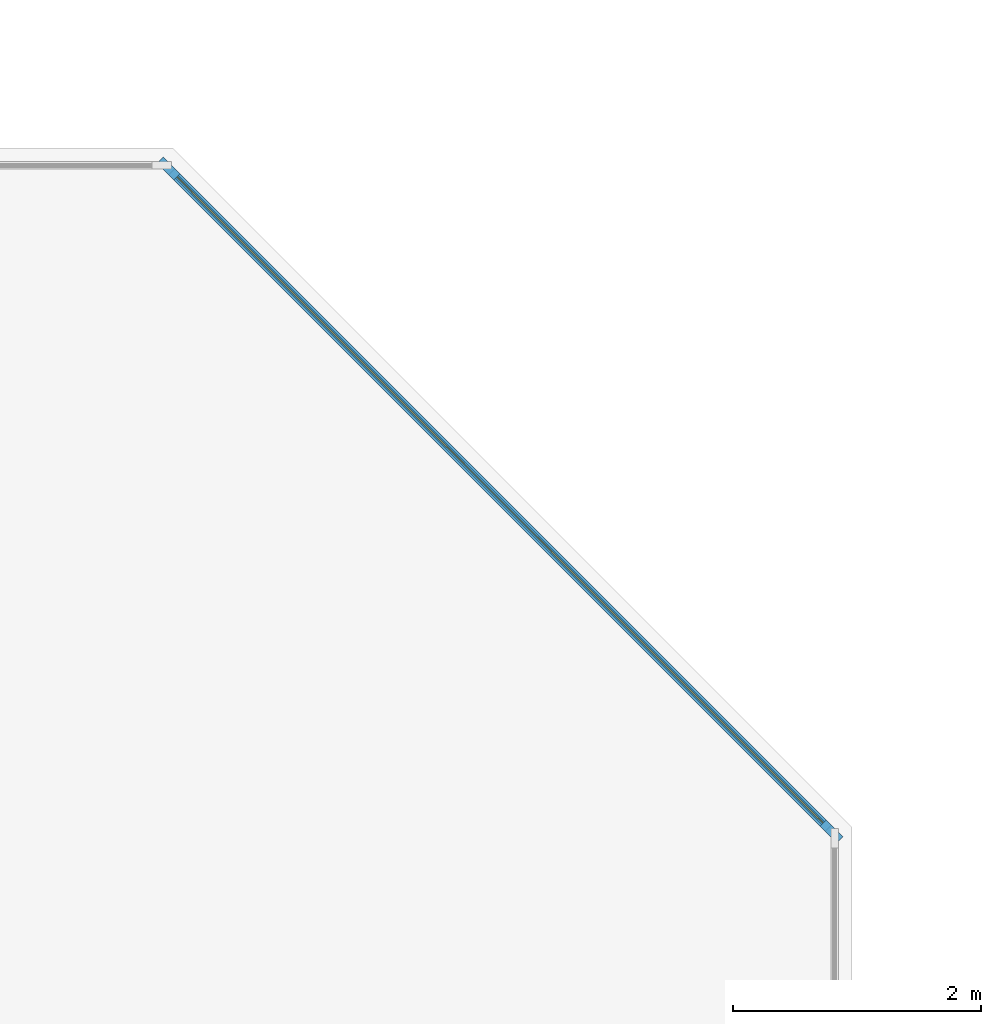
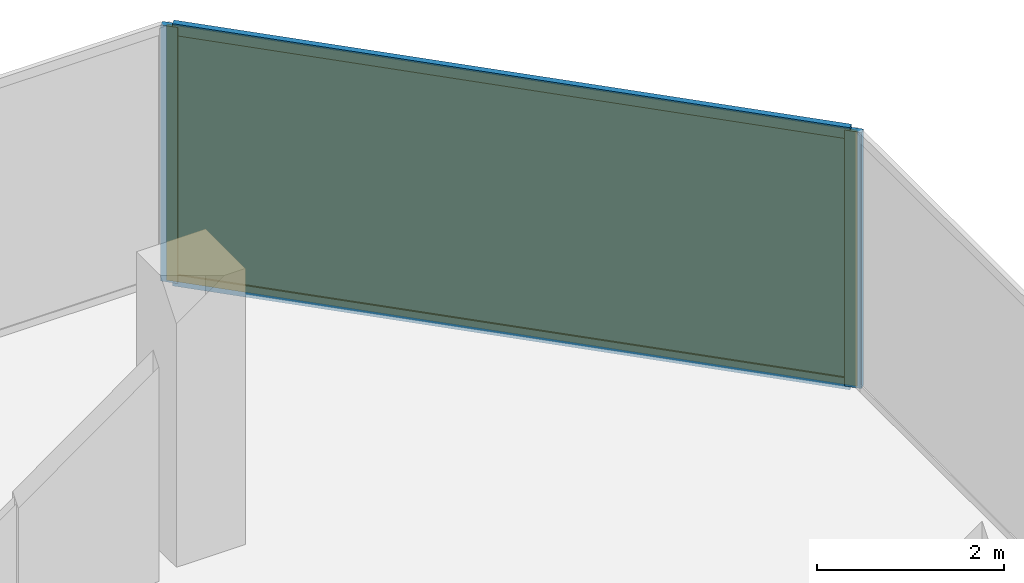
# One storey, part 12 of 15: 4 members, 1 curtain wall, 1 plate.
"""IFC4 building model written with IfcOpenShell, lengths in metres."""

from ifc_helpers import new_model, si_unit, direction, frame, frame_2d, origin, origin_2d, place, context, subcontext, project, spatial, rectangle, extrude, material, layer, layer_set, material_profile, profile_set, type_object, element, aggregate, save


model = new_model("IFC4")

# Units and contexts
model_context = context("Model", 3, precision=1e-05, world=origin(), true_north=direction((0.0, 1.0)))
body_context = subcontext(model_context, "Body", "Model", "MODEL_VIEW")
ifc_project = project(units=[si_unit("LENGTHUNIT", "METRE"), si_unit("AREAUNIT", "SQUARE_METRE"), si_unit("VOLUMEUNIT", "CUBIC_METRE"), si_unit("PLANEANGLEUNIT", "RADIAN"), si_unit("MASSUNIT", "GRAM", prefix="KILO")], contexts=[model_context])

# Member
ifc_material_1 = material(Name="Anodised Bronze Aluminium 6063-T6", Category="aluminium")
ifc_material_profile_1 = material_profile(ifc_material_1, rectangle(XDim=0.070068359375, YDim=0.18994140625, at=origin_2d()))
ifc_profile_set_1 = profile_set([ifc_material_profile_1], Name="Anodised Bronze Aluminium 6063-T6")
member_type_1 = type_object("IfcMemberType", Name="CW-SLC Mullion 70x190", PredefinedType="MULLION", material=ifc_profile_set_1)
site_placement = place(None, origin())
building_placement = place(site_placement, origin())
storey_placement = place(building_placement, frame((0.0, 0.0, 244.0)))
member_1_placement = place(storey_placement, frame((16.586669921875, 24.835205078125, 0.0), z_axis=(0.0, 0.0, 1.0), x_axis=(0.707106781187, 0.707106781187, 0.0)))
member_1 = element("IfcMember", 1, at=member_1_placement, type_object=member_type_1, Name="CW-SLC mullion 1", PredefinedType="MULLION", context=body_context, shape_type="SweptSolid", body=[
    extrude(rectangle(XDim=0.070068359375, YDim=0.18994140625, at=origin_2d()), origin(), (0.0, 0.0, 1.0), 3.340087890625),
])

member_2_placement = place(storey_placement, frame((21.935302734375, 19.48681640625, 0.0), z_axis=(0.0, 0.0, 1.0), x_axis=(0.707106781187, 0.707106781187, 0.0)))
member_2 = element("IfcMember", 2, at=member_2_placement, type_object=member_type_1, Name="CW-SLC mullion 2", PredefinedType="MULLION", context=body_context, shape_type="SweptSolid", body=[
    extrude(rectangle(XDim=0.070068359375, YDim=0.18994140625, at=origin_2d()), origin(), (0.0, 0.0, 1.0), 3.340087890625),
])

ifc_material_2 = material(Name="Anodised Bronze Aluminium 6063-T6", Category="aluminium")
ifc_material_profile_2 = material_profile(ifc_material_2, rectangle(XDim=0.070068359375, YDim=0.14990234375, at=origin_2d()))
ifc_profile_set_2 = profile_set([ifc_material_profile_2], Name="Anodised Bronze Aluminium 6063-T6")
member_type_2 = type_object("IfcMemberType", Name="CW-SLC Transom 70x150", PredefinedType="USERDEFINED", material=ifc_profile_set_2)
member_3_placement = place(storey_placement, frame((16.611572265625, 24.810546875, 0.034912109375), z_axis=(0.707090491594, -0.707123070404, 0.0), x_axis=(0.707123070404, 0.707090491594, 0.0)))
member_3 = element("IfcMember", 3, at=member_3_placement, type_object=member_type_2, Name="CW-SLC transom 1.1", ObjectType="TRANSOM", PredefinedType="USERDEFINED", context=body_context, shape_type="SweptSolid", body=[
    extrude(rectangle(XDim=0.070068359375, YDim=0.14990234375, at=origin_2d()), origin(), (0.0, 0.0, 1.0), 7.493896484375),
])

member_4_placement = place(storey_placement, frame((16.611572265625, 24.810546875, 3.304931640625), z_axis=(0.707090491594, -0.707123070404, 0.0), x_axis=(0.707123070404, 0.707090491594, 0.0)))
member_4 = element("IfcMember", 4, at=member_4_placement, type_object=member_type_2, Name="CW-SLC transom 1.2", ObjectType="TRANSOM", PredefinedType="USERDEFINED", context=body_context, shape_type="SweptSolid", body=[
    extrude(rectangle(XDim=0.070068359375, YDim=0.14990234375, at=origin_2d()), origin(), (0.0, 0.0, 1.0), 7.493896484375),
])

# Plate
ifc_material_3 = material(Name="Low-E Solar Control Laminated Glass", Category="glass")
ifc_layer_1 = layer(ifc_material_3, 0.033935546875, Name="Low-E Solar Control Laminated Glass")
ifc_layer_set_1 = layer_set([ifc_layer_1], Name="Low-E Solar Control Laminated Glass")
plate_type = type_object("IfcPlateType", Name="CW-SLC Low-E Double Glazed Panel 34mm", PredefinedType="CURTAIN_PANEL", material=ifc_layer_set_1)
plate_placement = place(storey_placement, frame((19.260986328125, 22.160888671875, 0.06982421875), z_axis=(0.0, 0.0, 1.0), x_axis=(0.707106781187, -0.707106781187, 0.0)))
plate = element("IfcPlate", 5, at=plate_placement, type_object=plate_type, Name="CW-SLC panel 1.1", PredefinedType="CURTAIN_PANEL", context=body_context, shape_type="SweptSolid", body=[
    extrude(rectangle(XDim=7.493896484375, YDim=0.033935546875, at=origin_2d()), origin(), (0.0, 0.0, 1.0), 3.199951171875),
])

# Site, building, storey
site = spatial("IfcSite", under=ifc_project, at=site_placement, CompositionType="ELEMENT")
building = spatial("IfcBuilding", under=site, at=building_placement, Name="Khairoan Windgate Tower", CompositionType="ELEMENT")
storey = spatial("IfcBuildingStorey", under=building, at=storey_placement, Name="L57", CompositionType="ELEMENT", Elevation=244.0)

# Curtain wall
ifc_material_4 = material(Name="Anodised Bronze Aluminium 6063-T6", Category="aluminium")
ifc_layer_2 = layer(ifc_material_4, 0.18994140625, Name="Anodised Bronze Aluminium 6063-T6")
ifc_layer_set_2 = layer_set([ifc_layer_2], Name="Anodised Bronze Aluminium 6063-T6")
curtain_wall_type = type_object("IfcCurtainWallType", Name="Diagonal Corner-Slice Facet Curtain Wall CW-SLC", PredefinedType="NOTDEFINED", material=ifc_layer_set_2)
curtain_wall_placement = place(storey_placement, frame((16.56201171875, 24.860107421875, 0.0), z_axis=(0.0, 0.0, 1.0), x_axis=(0.707090790712, -0.7071227713, 0.0)))
curtain_wall = element("IfcCurtainWall", 6, at=curtain_wall_placement, inside=storey, type_object=curtain_wall_type, Name="L57 Crystal Slice Curtain Wall 10", PredefinedType="NOTDEFINED", context=body_context, shape_type="SweptSolid", body=[
    extrude(rectangle(XDim=7.634033203125, YDim=0.010009765625, at=frame_2d((3.81689453125, 0.0))), origin(), (0.0, 0.0, 1.0), 3.340087890625),
])

aggregate(curtain_wall, [member_1, member_2, member_3, member_4, plate])

save(model, "model.ifc")
